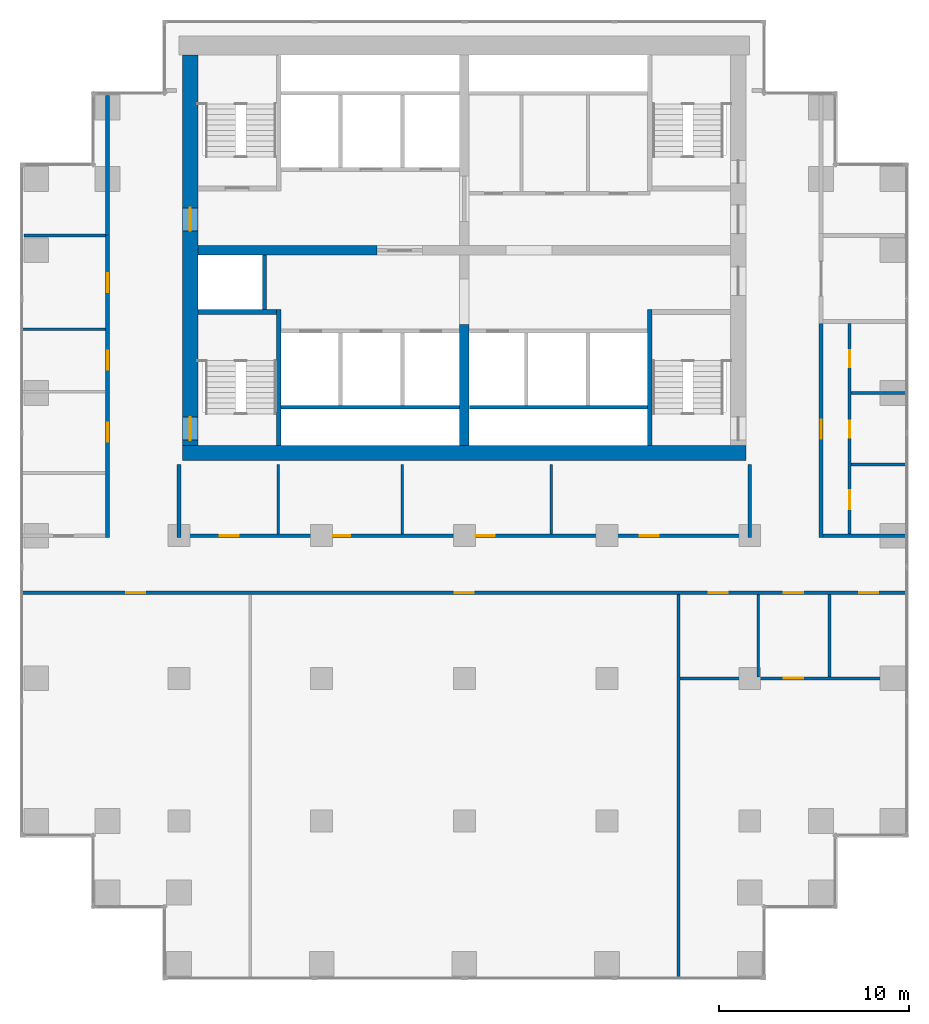
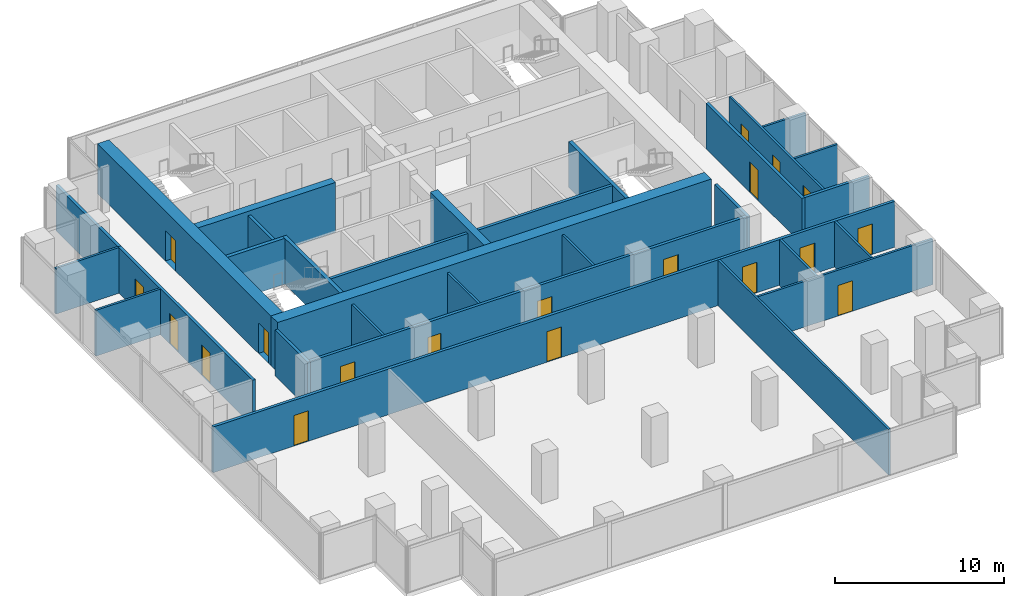
# One storey, part 7 of 10: 30 walls, 19 doors, 19 openings.
"""IFC4 building model written with IfcOpenShell, lengths in metres."""

import ifcopenshell
import ifcopenshell.guid

model = None  # the IFC model being written
_history = None  # IfcOwnerHistory: only IFC2X3 demands one
_inside = {}  # id of a spatial element -> (the spatial element, [elements in it])
_under = {}  # id of a project, library or spatial element -> (it, [spatial elements below it])
_declared = {}  # id of a project -> (the project, [libraries it declares])
_typed = {}  # id of a type object -> (the type object, [elements of that type])
_made_of = {}  # id of a material, layer set ... -> (it, [elements and type objects made of it])


def new_model(schema):
    """Start an empty IFC model of exactly this schema.

    Asked for "IFC4X3", IfcOpenShell would pick the latest addendum, in which some entities
    have other attributes; the version numbers below select the first issue.
    IFC2X3 requires an IfcOwnerHistory on every rooted entity: one is made here for all.
    """
    global model, _history
    if schema == "IFC4X3":
        model = ifcopenshell.file(schema_version=(4, 3, 0, 0))
    else:
        model = ifcopenshell.file(schema=schema)
    _inside.clear()
    _under.clear()
    _declared.clear()
    _typed.clear()
    _made_of.clear()
    _history = None
    if model.schema == "IFC2X3":
        org = make("IfcOrganization", Name="unknown")
        user = make(
            "IfcPersonAndOrganization",
            ThePerson=make("IfcPerson", FamilyName="unknown"),
            TheOrganization=org,
        )
        app = make(
            "IfcApplication",
            ApplicationDeveloper=org,
            Version="unknown",
            ApplicationFullName="unknown",
            ApplicationIdentifier="unknown",
        )
        _history = make(
            "IfcOwnerHistory",
            OwningUser=user,
            OwningApplication=app,
            ChangeAction="ADDED",
            CreationDate=0,
        )
    return model


def make(cls, **values):
    """One entity of the class cls with the attributes given. An attribute that is None is left unset."""
    return model.create_entity(
        cls, **{name: value for name, value in values.items() if value is not None}
    )


def rooted(cls, **values):
    """An entity with a GlobalId (a new one), such as an element, a storey or a relation."""
    return make(cls, GlobalId=ifcopenshell.guid.new(), OwnerHistory=_history, **values)


def si_unit(unit_type, name, prefix=None):
    """IfcSIUnit, for example si_unit("LENGTHUNIT", "METRE", prefix="MILLI")."""
    return make("IfcSIUnit", UnitType=unit_type, Prefix=prefix, Name=name)


def assignment(units):
    """IfcUnitAssignment: the units of a project."""
    return None if units is None else make("IfcUnitAssignment", Units=units)


def point(xyz):
    """IfcCartesianPoint."""
    return None if xyz is None else make("IfcCartesianPoint", Coordinates=xyz)


def direction(xyz):
    """IfcDirection."""
    return None if xyz is None else make("IfcDirection", DirectionRatios=xyz)


def frame(location, z_axis=None, x_axis=None):
    """IfcAxis2Placement3D, a coordinate frame: its origin and axes. An axis left out is left unset."""
    return make(
        "IfcAxis2Placement3D",
        Location=point(location),
        Axis=direction(z_axis),
        RefDirection=direction(x_axis),
    )


def frame_2d(location, x_axis=None):
    """IfcAxis2Placement2D, a coordinate frame in the plane: its origin and x axis."""
    return make(
        "IfcAxis2Placement2D", Location=point(location), RefDirection=direction(x_axis)
    )


def origin():
    """The frame at (0, 0, 0) with its axes left unset."""
    return frame((0.0, 0.0, 0.0))


def place(relative_to, where):
    """IfcLocalPlacement: puts the frame where relative to a parent placement (None: the world)."""
    return make(
        "IfcLocalPlacement", PlacementRelTo=relative_to, RelativePlacement=where
    )


def context(
    kind, dimensions, precision=None, world=None, true_north=None, identifier=None
):
    """IfcGeometricRepresentationContext, for example the 3D "Model" context."""
    return make(
        "IfcGeometricRepresentationContext",
        ContextIdentifier=identifier,
        ContextType=kind,
        CoordinateSpaceDimension=dimensions,
        Precision=precision,
        WorldCoordinateSystem=world,
        TrueNorth=true_north,
    )


def subcontext(parent, identifier, kind, view, scale=None):
    """IfcGeometricRepresentationSubContext, for example "Body" below "Model"."""
    return make(
        "IfcGeometricRepresentationSubContext",
        ContextIdentifier=identifier,
        ContextType=kind,
        ParentContext=parent,
        TargetScale=scale,
        TargetView=view,
    )


def project(units=None, contexts=None):
    """IfcProject with its units and contexts."""
    return rooted(
        "IfcProject",
        Name="project",
        RepresentationContexts=contexts,
        UnitsInContext=assignment(units),
    )


def spatial(cls, under=None, at=None, **own):
    """A site, building, storey or space (cls), placed at a placement, below another one or the project."""
    s = rooted(cls, ObjectPlacement=at, **own)
    if under is not None:
        _under.setdefault(under.id(), (under, []))[1].append(s)
    return s


def profile(cls, at=None, kind="AREA", **sizes):
    """A parametric profile (cls). Its sizes go by their IFC names, for example OverallWidth=200.0."""
    return make(cls, ProfileType=kind, Position=at, **sizes)


def rectangle(**sizes):
    """IfcRectangleProfileDef."""
    return profile("IfcRectangleProfileDef", **sizes)


def extrude(swept, where, along, depth):
    """IfcExtrudedAreaSolid: the profile swept, set in the frame where, extruded along a direction by depth."""
    return make(
        "IfcExtrudedAreaSolid",
        SweptArea=swept,
        Position=where,
        ExtrudedDirection=direction(along),
        Depth=depth,
    )


def shape(context_of_items, identifier, shape_type, items):
    """IfcShapeRepresentation: the items that make up one representation, for example the "Body"."""
    return make(
        "IfcShapeRepresentation",
        ContextOfItems=context_of_items,
        RepresentationIdentifier=identifier,
        RepresentationType=shape_type,
        Items=items,
    )


def material(Name=None, Category=None):
    """IfcMaterial."""
    return make("IfcMaterial", Name=Name, Category=Category)


def layer(
    of_material, thickness, ventilated=None, Name=None, Category=None, Priority=None
):
    """IfcMaterialLayer: one layer of a wall or slab, of a material (None: an air gap)."""
    return make(
        "IfcMaterialLayer",
        Material=of_material,
        LayerThickness=thickness,
        IsVentilated=ventilated,
        Name=Name,
        Category=Category,
        Priority=Priority,
    )


def layer_set(layers, Name=None):
    """IfcMaterialLayerSet."""
    return make("IfcMaterialLayerSet", MaterialLayers=layers, LayerSetName=Name)


def made_of(thing, what):
    """Note that an element or type object is made of a material, layer set ...; save() writes the relation."""
    if what is not None:
        _made_of.setdefault(what.id(), (what, []))[1].append(thing)
    return thing


def type_object(cls, material=None, **own):
    """A type object (cls), such as IfcWallType, which elements share."""
    return made_of(rooted(cls, **own), material)


def element(
    cls,
    number,
    at=None,
    inside=None,
    cuts=None,
    type_object=None,
    material=None,
    context=None,
    identifier="Body",
    shape_type=None,
    held_by="IfcProductDefinitionShape",
    body=None,
    shapes=None,
    **own,
):
    """One element of the class cls, such as IfcWall. Its Tag is "e" and its number.

    at: its placement. inside: the storey or other place that contains it. cuts: it is an
    opening in that element (IfcRelVoidsElement). A single representation is given by context,
    identifier, shape_type and body (its items); several are given by shapes. held_by: the class
    of the entity that holds the representations. save() writes the other relations.
    """
    e = rooted(cls, Tag="e%d" % number, ObjectPlacement=at, **own)
    if body is not None:
        shapes = [shape(context, identifier, shape_type, body)]
    if shapes is not None:
        e.Representation = make(held_by, Representations=shapes)
    if inside is not None:
        _inside.setdefault(inside.id(), (inside, []))[1].append(e)
    if cuts is not None:
        rooted(
            "IfcRelVoidsElement", RelatingBuildingElement=cuts, RelatedOpeningElement=e
        )
    if type_object is not None:
        _typed.setdefault(type_object.id(), (type_object, []))[1].append(e)
    return made_of(e, material)


def fill(opening, filler):
    """IfcRelFillsElement: the door or window that sits in an opening."""
    return rooted(
        "IfcRelFillsElement",
        RelatingOpeningElement=opening,
        RelatedBuildingElement=filler,
    )


def aggregate(whole, parts):
    """IfcRelAggregates: a whole, such as a stair, and the parts it consists of."""
    return rooted("IfcRelAggregates", RelatingObject=whole, RelatedObjects=parts)


def save(model, path):
    """Write the relations noted so far, then the file.

    IfcRelAggregates (storeys below a building ...), IfcRelContainedInSpatialStructure (elements
    in a storey), IfcRelDefinesByType, IfcRelAssociatesMaterial and IfcRelDeclares: one each for
    every whole, place, type object, material and project.
    """
    for whole, parts in _under.values():
        aggregate(whole, parts)
    for where, things in _inside.values():
        rooted(
            "IfcRelContainedInSpatialStructure",
            RelatedElements=things,
            RelatingStructure=where,
        )
    for kind, things in _typed.values():
        rooted("IfcRelDefinesByType", RelatedObjects=things, RelatingType=kind)
    for what, things in _made_of.values():
        rooted("IfcRelAssociatesMaterial", RelatedObjects=things, RelatingMaterial=what)
    for by, libraries in _declared.values():
        rooted("IfcRelDeclares", RelatingContext=by, RelatedDefinitions=libraries)
    model.write(path)


model = new_model("IFC4")

# Units and contexts
model_context = context("Model", 3, precision=1e-05, world=origin(), true_north=direction((0.0, 1.0)))
body_context = subcontext(model_context, "Body", "Model", "MODEL_VIEW")
ifc_project = project(units=[si_unit("LENGTHUNIT", "METRE"), si_unit("AREAUNIT", "SQUARE_METRE"), si_unit("VOLUMEUNIT", "CUBIC_METRE"), si_unit("PLANEANGLEUNIT", "RADIAN"), si_unit("MASSUNIT", "GRAM", prefix="KILO")], contexts=[model_context])

# Site, building, storey
site_placement = place(None, origin())
site = spatial("IfcSite", under=ifc_project, at=site_placement, CompositionType="ELEMENT")
building_placement = place(site_placement, origin())
building = spatial("IfcBuilding", under=site, at=building_placement, Name="Pilkhan Gate Tower", CompositionType="ELEMENT")
storey_placement = place(building_placement, frame((0.0, 0.0, 118.0)))
storey = spatial("IfcBuildingStorey", under=building, at=storey_placement, Name="L29", CompositionType="ELEMENT", Elevation=118.0)

# Wall
ifc_material_1 = material(Name="Concrete C60/75", Category="concrete")
ifc_layer_1 = layer(ifc_material_1, 0.800048828125)
ifc_layer_set_1 = layer_set([ifc_layer_1], Name="Core wall CW800 C60/75")
wall_type_1 = type_object("IfcWallType", Name="Core wall CW800 C60/75", PredefinedType="SHEAR", material=ifc_layer_set_1)
wall_1_placement = place(storey_placement, frame((60.199951171875, 71.85009765625, 0.0), z_axis=(0.0, 0.0, 1.0), x_axis=(1.0, 0.0, 0.0)))
element("IfcWall", 1, at=wall_1_placement, inside=storey, type_object=wall_type_1, Name="Core wall S L29", PredefinedType="SHEAR", context=body_context, shape_type="SweptSolid", body=[
    extrude(rectangle(XDim=29.60009765625, YDim=0.800048828125, at=frame_2d((14.800048828125, 0.0))), origin(), (0.0, 0.0, 1.0), 3.60009765625),
])

# Wall, openings, doors
wall_2_placement = place(storey_placement, frame((60.60009765625, 92.75, 0.0), z_axis=(0.0, 0.0, 1.0), x_axis=(0.0, -1.0, 0.0)))
wall_2 = element("IfcWall", 2, at=wall_2_placement, inside=storey, type_object=wall_type_1, Name="Core wall W L29", PredefinedType="SHEAR", context=body_context, shape_type="SweptSolid", body=[
    extrude(rectangle(XDim=20.5, YDim=0.800048828125, at=frame_2d((10.25, 0.0))), origin(), (0.0, 0.0, 1.0), 3.60009765625),
])
opening_1_placement = place(wall_2_placement, frame((19.02490234375, 0.0, 0.0)))
opening_1 = element("IfcOpeningElement", 3, at=opening_1_placement, cuts=wall_2, Name="Opening L29-04", PredefinedType="OPENING", context=body_context, shape_type="SweptSolid", body=[
    extrude(rectangle(XDim=1.199951171875, YDim=2.199951171875, at=frame_2d((0.60009765625, 1.10009765625))), frame((0.0, 0.409912109375, 0.0), z_axis=(0.0, -1.0, 0.0), x_axis=(1.0, 0.0, 0.0)), (0.0, 0.0, 1.0), 0.820068359375),
])
opening_2_placement = place(wall_2_placement, frame((8.02490234375, 0.0, 0.0)))
opening_2 = element("IfcOpeningElement", 4, at=opening_2_placement, cuts=wall_2, Name="Opening L29-09", PredefinedType="OPENING", context=body_context, shape_type="SweptSolid", body=[
    extrude(rectangle(XDim=1.199951171875, YDim=2.199951171875, at=frame_2d((0.60009765625, 1.10009765625))), frame((0.0, 0.409912109375, 0.0), z_axis=(0.0, -1.0, 0.0), x_axis=(1.0, 0.0, 0.0)), (0.0, 0.0, 1.0), 0.820068359375),
])
ifc_material_2 = material(Name="Steel door, 120 minute fire resisting, self-closing", Category="steel")
door_type_1 = type_object("IfcDoorType", Name="Firefighting lobby door D10 1200x2200", OperationType="SINGLE_SWING_LEFT", PredefinedType="DOOR", material=ifc_material_2)
door_1_placement = place(opening_2_placement, origin())
door_1 = element("IfcDoor", 5, at=door_1_placement, inside=storey, type_object=door_type_1, Name="Core door", OperationType="SINGLE_SWING_LEFT", OverallHeight=2.199951171875, OverallWidth=1.199951171875, PredefinedType="DOOR", context=body_context, shape_type="SweptSolid", body=[
    extrude(rectangle(XDim=1.199951171875, YDim=2.199951171875, at=frame_2d((0.60009765625, 1.10009765625))), frame((0.0, 0.02490234375, 0.0), z_axis=(0.0, -1.0, 0.0), x_axis=(1.0, 0.0, 0.0)), (0.0, 0.0, 1.0), 0.050048828125),
])
fill(opening_2, door_1)
ifc_material_3 = material(Name="Steel door, 120 minute fire resisting, panic bar", Category="steel")
door_type_2 = type_object("IfcDoorType", Name="Stair door D11 1200x2200", OperationType="SINGLE_SWING_LEFT", PredefinedType="DOOR", material=ifc_material_3)
door_2_placement = place(opening_1_placement, origin())
door_2 = element("IfcDoor", 6, at=door_2_placement, inside=storey, type_object=door_type_2, Name="Stair ST2 door", OperationType="SINGLE_SWING_LEFT", OverallHeight=2.199951171875, OverallWidth=1.199951171875, PredefinedType="DOOR", context=body_context, shape_type="SweptSolid", body=[
    extrude(rectangle(XDim=1.199951171875, YDim=2.199951171875, at=frame_2d((0.60009765625, 1.10009765625))), frame((0.0, 0.02490234375, 0.0), z_axis=(0.0, -1.0, 0.0), x_axis=(1.0, 0.0, 0.0)), (0.0, 0.0, 1.0), 0.050048828125),
])
fill(opening_1, door_2)

ifc_material_4 = material(Name="Dense blockwork", Category="masonry")
ifc_layer_2 = layer(ifc_material_4, 0.199951171875)
ifc_layer_set_2 = layer_set([ifc_layer_2], Name="Corridor wall FW200")
wall_type_2 = type_object("IfcWallType", Name="Corridor wall FW200", PredefinedType="PARTITIONING", material=ifc_layer_set_2)
wall_3_placement = place(storey_placement, frame((51.735107421875, 64.5, 0.0), z_axis=(0.0, 0.0, 1.0), x_axis=(1.0, 0.0, 0.0)))
wall_3 = element("IfcWall", 7, at=wall_3_placement, inside=storey, type_object=wall_type_2, Name="Partition L29", PredefinedType="PARTITIONING", context=body_context, shape_type="SweptSolid", body=[
    extrude(rectangle(XDim=46.52978515625, YDim=0.199951171875, at=frame_2d((23.264892578125, 0.0))), origin(), (0.0, 0.0, 1.0), 3.300048828125),
])
opening_3_placement = place(wall_3_placement, frame((40.06494140625, 0.0, 0.0)))
opening_3 = element("IfcOpeningElement", 8, at=opening_3_placement, cuts=wall_3, Name="Opening L29-06", PredefinedType="OPENING", context=body_context, shape_type="SweptSolid", body=[
    extrude(rectangle(XDim=1.0, YDim=2.199951171875, at=frame_2d((0.5, 1.10009765625))), frame((0.0, 0.10986328125, 0.0), z_axis=(0.0, -1.0, 0.0), x_axis=(1.0, 0.0, 0.0)), (0.0, 0.0, 1.0), 0.219970703125),
])
opening_4_placement = place(wall_3_placement, frame((5.5, 0.0, 0.0)))
opening_4 = element("IfcOpeningElement", 9, at=opening_4_placement, cuts=wall_3, Name="Opening L29-14", PredefinedType="OPENING", context=body_context, shape_type="SweptSolid", body=[
    extrude(rectangle(XDim=1.0, YDim=2.199951171875, at=frame_2d((0.5, 1.10009765625))), frame((0.0, 0.10986328125, 0.0), z_axis=(0.0, -1.0, 0.0), x_axis=(1.0, 0.0, 0.0)), (0.0, 0.0, 1.0), 0.219970703125),
])
opening_5_placement = place(wall_3_placement, frame((22.764892578125, 0.0, 0.0)))
opening_5 = element("IfcOpeningElement", 10, at=opening_5_placement, cuts=wall_3, Name="Opening L29-15", PredefinedType="OPENING", context=body_context, shape_type="SweptSolid", body=[
    extrude(rectangle(XDim=1.0, YDim=2.199951171875, at=frame_2d((0.5, 1.10009765625))), frame((0.0, 0.10986328125, 0.0), z_axis=(0.0, -1.0, 0.0), x_axis=(1.0, 0.0, 0.0)), (0.0, 0.0, 1.0), 0.219970703125),
])
opening_6_placement = place(wall_3_placement, frame((36.114990234375, 0.0, 0.0)))
opening_6 = element("IfcOpeningElement", 11, at=opening_6_placement, cuts=wall_3, Name="Opening L29-16", PredefinedType="OPENING", context=body_context, shape_type="SweptSolid", body=[
    extrude(rectangle(XDim=1.0, YDim=2.199951171875, at=frame_2d((0.5, 1.10009765625))), frame((0.0, 0.10986328125, 0.0), z_axis=(0.0, -1.0, 0.0), x_axis=(1.0, 0.0, 0.0)), (0.0, 0.0, 1.0), 0.219970703125),
])
opening_7_placement = place(wall_3_placement, frame((44.014892578125, 0.0, 0.0)))
opening_7 = element("IfcOpeningElement", 12, at=opening_7_placement, cuts=wall_3, Name="Opening L29-17", PredefinedType="OPENING", context=body_context, shape_type="SweptSolid", body=[
    extrude(rectangle(XDim=1.0, YDim=2.199951171875, at=frame_2d((0.5, 1.10009765625))), frame((0.0, 0.10986328125, 0.0), z_axis=(0.0, -1.0, 0.0), x_axis=(1.0, 0.0, 0.0)), (0.0, 0.0, 1.0), 0.219970703125),
])
ifc_material_5 = material(Name="Timber flush door, 30 minute fire resisting", Category="wood")
door_type_3 = type_object("IfcDoorType", Name="Room door D03 1000x2200", OperationType="SINGLE_SWING_LEFT", PredefinedType="DOOR", material=ifc_material_5)
door_3_placement = place(opening_3_placement, origin())
door_3 = element("IfcDoor", 13, at=door_3_placement, inside=storey, type_object=door_type_3, Name="Room door", OperationType="SINGLE_SWING_RIGHT", OverallHeight=2.199951171875, OverallWidth=1.0, PredefinedType="DOOR", context=body_context, shape_type="SweptSolid", body=[
    extrude(rectangle(XDim=1.0, YDim=2.199951171875, at=frame_2d((0.5, 1.10009765625))), frame((0.0, 0.02490234375, 0.0), z_axis=(0.0, -1.0, 0.0), x_axis=(1.0, 0.0, 0.0)), (0.0, 0.0, 1.0), 0.050048828125),
])
fill(opening_3, door_3)
door_4_placement = place(opening_4_placement, origin())
door_4 = element("IfcDoor", 14, at=door_4_placement, inside=storey, type_object=door_type_3, Name="Room door", OperationType="SINGLE_SWING_LEFT", OverallHeight=2.199951171875, OverallWidth=1.0, PredefinedType="DOOR", context=body_context, shape_type="SweptSolid", body=[
    extrude(rectangle(XDim=1.0, YDim=2.199951171875, at=frame_2d((0.5, 1.10009765625))), frame((0.0, 0.02490234375, 0.0), z_axis=(0.0, -1.0, 0.0), x_axis=(1.0, 0.0, 0.0)), (0.0, 0.0, 1.0), 0.050048828125),
])
fill(opening_4, door_4)
door_5_placement = place(opening_5_placement, origin())
door_5 = element("IfcDoor", 15, at=door_5_placement, inside=storey, type_object=door_type_3, Name="Room door", OperationType="SINGLE_SWING_RIGHT", OverallHeight=2.199951171875, OverallWidth=1.0, PredefinedType="DOOR", context=body_context, shape_type="SweptSolid", body=[
    extrude(rectangle(XDim=1.0, YDim=2.199951171875, at=frame_2d((0.5, 1.10009765625))), frame((0.0, 0.02490234375, 0.0), z_axis=(0.0, -1.0, 0.0), x_axis=(1.0, 0.0, 0.0)), (0.0, 0.0, 1.0), 0.050048828125),
])
fill(opening_5, door_5)
door_6_placement = place(opening_6_placement, origin())
door_6 = element("IfcDoor", 16, at=door_6_placement, inside=storey, type_object=door_type_3, Name="Room door", OperationType="SINGLE_SWING_LEFT", OverallHeight=2.199951171875, OverallWidth=1.0, PredefinedType="DOOR", context=body_context, shape_type="SweptSolid", body=[
    extrude(rectangle(XDim=1.0, YDim=2.199951171875, at=frame_2d((0.5, 1.10009765625))), frame((0.0, 0.02490234375, 0.0), z_axis=(0.0, -1.0, 0.0), x_axis=(1.0, 0.0, 0.0)), (0.0, 0.0, 1.0), 0.050048828125),
])
fill(opening_6, door_6)
door_7_placement = place(opening_7_placement, origin())
door_7 = element("IfcDoor", 17, at=door_7_placement, inside=storey, type_object=door_type_3, Name="Room door", OperationType="SINGLE_SWING_RIGHT", OverallHeight=2.199951171875, OverallWidth=1.0, PredefinedType="DOOR", context=body_context, shape_type="SweptSolid", body=[
    extrude(rectangle(XDim=1.0, YDim=2.199951171875, at=frame_2d((0.5, 1.10009765625))), frame((0.0, 0.02490234375, 0.0), z_axis=(0.0, -1.0, 0.0), x_axis=(1.0, 0.0, 0.0)), (0.0, 0.0, 1.0), 0.050048828125),
])
fill(opening_7, door_7)

wall_4_placement = place(storey_placement, frame((60.10009765625, 67.5, 0.0), z_axis=(0.0, 0.0, 1.0), x_axis=(1.0, 0.0, 0.0)))
wall_4 = element("IfcWall", 18, at=wall_4_placement, inside=storey, type_object=wall_type_2, Name="Partition L29", PredefinedType="PARTITIONING", context=body_context, shape_type="SweptSolid", body=[
    extrude(rectangle(XDim=29.7998046875, YDim=0.199951171875, at=frame_2d((14.89990234375, 0.0))), origin(), (0.0, 0.0, 1.0), 3.300048828125),
])
opening_8_placement = place(wall_4_placement, frame((2.050048828125, 0.0, 0.0)))
opening_8 = element("IfcOpeningElement", 19, at=opening_8_placement, cuts=wall_4, Name="Opening L29-27", PredefinedType="OPENING", context=body_context, shape_type="SweptSolid", body=[
    extrude(rectangle(XDim=1.0, YDim=2.199951171875, at=frame_2d((0.5, 1.10009765625))), frame((0.0, 0.10986328125, 0.0), z_axis=(0.0, -1.0, 0.0), x_axis=(1.0, 0.0, 0.0)), (0.0, 0.0, 1.0), 0.219970703125),
])
opening_9_placement = place(wall_4_placement, frame((8.01708984375, 0.0, 0.0)))
opening_9 = element("IfcOpeningElement", 20, at=opening_9_placement, cuts=wall_4, Name="Opening L29-28", PredefinedType="OPENING", context=body_context, shape_type="SweptSolid", body=[
    extrude(rectangle(XDim=0.89990234375, YDim=2.199951171875, at=frame_2d((0.449951171875, 1.10009765625))), frame((0.0, 0.10986328125, 0.0), z_axis=(0.0, -1.0, 0.0), x_axis=(1.0, 0.0, 0.0)), (0.0, 0.0, 1.0), 0.219970703125),
])
opening_10_placement = place(wall_4_placement, frame((15.489013671875, 0.0, 0.0)))
opening_10 = element("IfcOpeningElement", 21, at=opening_10_placement, cuts=wall_4, Name="Opening L29-29", PredefinedType="OPENING", context=body_context, shape_type="SweptSolid", body=[
    extrude(rectangle(XDim=1.0, YDim=2.199951171875, at=frame_2d((0.5, 1.10009765625))), frame((0.0, 0.10986328125, 0.0), z_axis=(0.0, -1.0, 0.0), x_axis=(1.0, 0.0, 0.0)), (0.0, 0.0, 1.0), 0.219970703125),
])
opening_11_placement = place(wall_4_placement, frame((24.114990234375, 0.0, 0.0)))
opening_11 = element("IfcOpeningElement", 22, at=opening_11_placement, cuts=wall_4, Name="Opening L29-30", PredefinedType="OPENING", context=body_context, shape_type="SweptSolid", body=[
    extrude(rectangle(XDim=1.0, YDim=2.199951171875, at=frame_2d((0.5, 1.10009765625))), frame((0.0, 0.10986328125, 0.0), z_axis=(0.0, -1.0, 0.0), x_axis=(1.0, 0.0, 0.0)), (0.0, 0.0, 1.0), 0.219970703125),
])
door_8_placement = place(opening_8_placement, origin())
door_8 = element("IfcDoor", 23, at=door_8_placement, inside=storey, type_object=door_type_3, Name="Room door", OperationType="SINGLE_SWING_LEFT", OverallHeight=2.199951171875, OverallWidth=1.0, PredefinedType="DOOR", context=body_context, shape_type="SweptSolid", body=[
    extrude(rectangle(XDim=1.0, YDim=2.199951171875, at=frame_2d((0.5, 1.10009765625))), frame((0.0, 0.02490234375, 0.0), z_axis=(0.0, -1.0, 0.0), x_axis=(1.0, 0.0, 0.0)), (0.0, 0.0, 1.0), 0.050048828125),
])
fill(opening_8, door_8)
door_9_placement = place(opening_10_placement, origin())
door_9 = element("IfcDoor", 24, at=door_9_placement, inside=storey, type_object=door_type_3, Name="Room door", OperationType="SINGLE_SWING_RIGHT", OverallHeight=2.199951171875, OverallWidth=1.0, PredefinedType="DOOR", context=body_context, shape_type="SweptSolid", body=[
    extrude(rectangle(XDim=1.0, YDim=2.199951171875, at=frame_2d((0.5, 1.10009765625))), frame((0.0, 0.02490234375, 0.0), z_axis=(0.0, -1.0, 0.0), x_axis=(1.0, 0.0, 0.0)), (0.0, 0.0, 1.0), 0.050048828125),
])
fill(opening_10, door_9)
door_10_placement = place(opening_11_placement, origin())
door_10 = element("IfcDoor", 25, at=door_10_placement, inside=storey, type_object=door_type_3, Name="Room door", OperationType="SINGLE_SWING_LEFT", OverallHeight=2.199951171875, OverallWidth=1.0, PredefinedType="DOOR", context=body_context, shape_type="SweptSolid", body=[
    extrude(rectangle(XDim=1.0, YDim=2.199951171875, at=frame_2d((0.5, 1.10009765625))), frame((0.0, 0.02490234375, 0.0), z_axis=(0.0, -1.0, 0.0), x_axis=(1.0, 0.0, 0.0)), (0.0, 0.0, 1.0), 0.050048828125),
])
fill(opening_11, door_10)
ifc_material_6 = material(Name="Timber flush door, 60 minute fire resisting, self-closing", Category="wood")
door_type_4 = type_object("IfcDoorType", Name="Store door D05 900x2200", OperationType="SINGLE_SWING_LEFT", PredefinedType="DOOR", material=ifc_material_6)
door_11_placement = place(opening_9_placement, origin())
door_11 = element("IfcDoor", 26, at=door_11_placement, inside=storey, type_object=door_type_4, Name="Store door", OperationType="SINGLE_SWING_LEFT", OverallHeight=2.199951171875, OverallWidth=0.89990234375, PredefinedType="DOOR", context=body_context, shape_type="SweptSolid", body=[
    extrude(rectangle(XDim=0.89990234375, YDim=2.199951171875, at=frame_2d((0.449951171875, 1.10009765625))), frame((0.0, 0.02490234375, 0.0), z_axis=(0.0, -1.0, 0.0), x_axis=(1.0, 0.0, 0.0)), (0.0, 0.0, 1.0), 0.050048828125),
])
fill(opening_9, door_11)

# Wall
wall_5_placement = place(storey_placement, frame((93.85009765625, 67.5, 0.0), z_axis=(0.0, 0.0, 1.0), x_axis=(1.0, 0.0, 0.0)))
element("IfcWall", 27, at=wall_5_placement, inside=storey, type_object=wall_type_2, Name="Partition L29", PredefinedType="PARTITIONING", context=body_context, shape_type="SweptSolid", body=[
    extrude(rectangle(XDim=4.414794921875, YDim=0.199951171875, at=frame_2d((2.20751953125, 0.0))), origin(), (0.0, 0.0, 1.0), 3.300048828125),
])

# Wall, openings, doors
wall_6_placement = place(storey_placement, frame((56.25, 67.39990234375, 0.0), z_axis=(0.0, 0.0, 1.0), x_axis=(0.0, 1.0, 0.0)))
wall_6 = element("IfcWall", 28, at=wall_6_placement, inside=storey, type_object=wall_type_2, Name="Partition L29", PredefinedType="PARTITIONING", context=body_context, shape_type="SweptSolid", body=[
    extrude(rectangle(XDim=15.955078125, YDim=0.199951171875, at=frame_2d((7.9775390625, 0.0))), origin(), (0.0, 0.0, 1.0), 3.300048828125),
])
opening_12_placement = place(wall_6_placement, frame((5.0380859375, 0.0, 0.0)))
opening_12 = element("IfcOpeningElement", 29, at=opening_12_placement, cuts=wall_6, Name="Opening L29-20", PredefinedType="OPENING", context=body_context, shape_type="SweptSolid", body=[
    extrude(rectangle(XDim=1.0, YDim=2.199951171875, at=frame_2d((0.5, 1.10009765625))), frame((0.0, 0.10986328125, 0.0), z_axis=(0.0, -1.0, 0.0), x_axis=(1.0, 0.0, 0.0)), (0.0, 0.0, 1.0), 0.219970703125),
])
opening_13_placement = place(wall_6_placement, frame((8.81103515625, 0.0, 0.0)))
opening_13 = element("IfcOpeningElement", 30, at=opening_13_placement, cuts=wall_6, Name="Opening L29-21", PredefinedType="OPENING", context=body_context, shape_type="SweptSolid", body=[
    extrude(rectangle(XDim=1.0, YDim=2.199951171875, at=frame_2d((0.5, 1.10009765625))), frame((0.0, 0.10986328125, 0.0), z_axis=(0.0, -1.0, 0.0), x_axis=(1.0, 0.0, 0.0)), (0.0, 0.0, 1.0), 0.219970703125),
])
opening_14_placement = place(wall_6_placement, frame((12.89892578125, 0.0, 0.0)))
opening_14 = element("IfcOpeningElement", 31, at=opening_14_placement, cuts=wall_6, Name="Opening L29-22", PredefinedType="OPENING", context=body_context, shape_type="SweptSolid", body=[
    extrude(rectangle(XDim=1.0, YDim=2.199951171875, at=frame_2d((0.5, 1.10009765625))), frame((0.0, 0.10986328125, 0.0), z_axis=(0.0, -1.0, 0.0), x_axis=(1.0, 0.0, 0.0)), (0.0, 0.0, 1.0), 0.219970703125),
])
door_12_placement = place(opening_12_placement, origin())
door_12 = element("IfcDoor", 32, at=door_12_placement, inside=storey, type_object=door_type_3, Name="Room door", OperationType="SINGLE_SWING_LEFT", OverallHeight=2.199951171875, OverallWidth=1.0, PredefinedType="DOOR", context=body_context, shape_type="SweptSolid", body=[
    extrude(rectangle(XDim=1.0, YDim=2.199951171875, at=frame_2d((0.5, 1.10009765625))), frame((0.0, 0.02490234375, 0.0), z_axis=(0.0, -1.0, 0.0), x_axis=(1.0, 0.0, 0.0)), (0.0, 0.0, 1.0), 0.050048828125),
])
fill(opening_12, door_12)
door_13_placement = place(opening_13_placement, origin())
door_13 = element("IfcDoor", 33, at=door_13_placement, inside=storey, type_object=door_type_3, Name="Room door", OperationType="SINGLE_SWING_RIGHT", OverallHeight=2.199951171875, OverallWidth=1.0, PredefinedType="DOOR", context=body_context, shape_type="SweptSolid", body=[
    extrude(rectangle(XDim=1.0, YDim=2.199951171875, at=frame_2d((0.5, 1.10009765625))), frame((0.0, 0.02490234375, 0.0), z_axis=(0.0, -1.0, 0.0), x_axis=(1.0, 0.0, 0.0)), (0.0, 0.0, 1.0), 0.050048828125),
])
fill(opening_13, door_13)
door_14_placement = place(opening_14_placement, origin())
door_14 = element("IfcDoor", 34, at=door_14_placement, inside=storey, type_object=door_type_3, Name="Room door", OperationType="SINGLE_SWING_RIGHT", OverallHeight=2.199951171875, OverallWidth=1.0, PredefinedType="DOOR", context=body_context, shape_type="SweptSolid", body=[
    extrude(rectangle(XDim=1.0, YDim=2.199951171875, at=frame_2d((0.5, 1.10009765625))), frame((0.0, 0.02490234375, 0.0), z_axis=(0.0, -1.0, 0.0), x_axis=(1.0, 0.0, 0.0)), (0.0, 0.0, 1.0), 0.050048828125),
])
fill(opening_14, door_14)

# Walls
wall_7_placement = place(storey_placement, frame((56.25, 83.31005859375, 0.0), z_axis=(0.0, 0.0, 1.0), x_axis=(0.0, 1.0, 0.0)))
element("IfcWall", 35, at=wall_7_placement, inside=storey, type_object=wall_type_2, Name="Partition L29", PredefinedType="PARTITIONING", context=body_context, shape_type="SweptSolid", body=[
    extrude(rectangle(XDim=7.3349609375, YDim=0.199951171875, at=frame_2d((3.66748046875, 0.0))), origin(), (0.0, 0.0, 1.0), 3.300048828125),
])
for number, where, z_axis, x_axis, name in (
    (36, (60.0, 67.39990234375, 0.0), (0.0, 0.0, 1.0), (0.0, 1.0, 0.0), "Partition L29"),
    (37, (90.0, 67.39990234375, 0.0), (0.0, 0.0, 1.0), (0.0, 1.0, 0.0), "Partition L29"),
):
    element("IfcWall", number, at=place(storey_placement, frame(where, z_axis=z_axis, x_axis=x_axis)), inside=storey, type_object=wall_type_2, Name=name, PredefinedType="PARTITIONING", context=body_context, shape_type="SweptSolid", body=[
        extrude(rectangle(XDim=3.85009765625, YDim=0.199951171875, at=frame_2d((1.925048828125, 0.0))), origin(), (0.0, 0.0, 1.0), 3.300048828125),
    ])

# Wall, opening, door
wall_8_placement = place(storey_placement, frame((93.75, 67.39990234375, 0.0), z_axis=(0.0, 0.0, 1.0), x_axis=(0.0, 1.0, 0.0)))
wall_8 = element("IfcWall", 38, at=wall_8_placement, inside=storey, type_object=wall_type_2, Name="Partition L29", PredefinedType="PARTITIONING", context=body_context, shape_type="SweptSolid", body=[
    extrude(rectangle(XDim=11.35009765625, YDim=0.199951171875, at=frame_2d((5.675048828125, 0.0))), origin(), (0.0, 0.0, 1.0), 3.300048828125),
])
opening_15_placement = place(wall_8_placement, frame((5.199951171875, 0.0, 0.0)))
opening_15 = element("IfcOpeningElement", 39, at=opening_15_placement, cuts=wall_8, Name="Opening L29-07", PredefinedType="OPENING", context=body_context, shape_type="SweptSolid", body=[
    extrude(rectangle(XDim=1.0, YDim=2.199951171875, at=frame_2d((0.5, 1.10009765625))), frame((0.0, 0.10986328125, 0.0), z_axis=(0.0, -1.0, 0.0), x_axis=(1.0, 0.0, 0.0)), (0.0, 0.0, 1.0), 0.219970703125),
])
door_15_placement = place(opening_15_placement, origin())
door_15 = element("IfcDoor", 40, at=door_15_placement, inside=storey, type_object=door_type_3, Name="Toilet lobby door", OperationType="SINGLE_SWING_LEFT", OverallHeight=2.199951171875, OverallWidth=1.0, PredefinedType="DOOR", context=body_context, shape_type="SweptSolid", body=[
    extrude(rectangle(XDim=1.0, YDim=2.199951171875, at=frame_2d((0.5, 1.10009765625))), frame((0.0, 0.02490234375, 0.0), z_axis=(0.0, -1.0, 0.0), x_axis=(1.0, 0.0, 0.0)), (0.0, 0.0, 1.0), 0.050048828125),
])
fill(opening_15, door_15)

ifc_material_7 = material(Name="Blockwork partition, plastered both sides", Category="masonry")
ifc_layer_3 = layer(ifc_material_7, 0.14990234375)
ifc_layer_set_3 = layer_set([ifc_layer_3], Name="Partition PW150")
wall_type_3 = type_object("IfcWallType", Name="Partition PW150", PredefinedType="PARTITIONING", material=ifc_layer_set_3)
wall_9_placement = place(storey_placement, frame((86.324951171875, 60.0, 0.0), z_axis=(0.0, 0.0, 1.0), x_axis=(1.0, 0.0, 0.0)))
wall_9 = element("IfcWall", 41, at=wall_9_placement, inside=storey, type_object=wall_type_3, Name="Partition L29", PredefinedType="PARTITIONING", context=body_context, shape_type="SweptSolid", body=[
    extrude(rectangle(XDim=11.93994140625, YDim=0.14990234375, at=frame_2d((5.969970703125, 0.0))), origin(), (0.0, 0.0, 1.0), 3.300048828125),
])
opening_16_placement = place(wall_9_placement, frame((5.47509765625, 0.0, 0.0)))
opening_16 = element("IfcOpeningElement", 42, at=opening_16_placement, cuts=wall_9, Name="Opening L29-18", PredefinedType="OPENING", context=body_context, shape_type="SweptSolid", body=[
    extrude(rectangle(XDim=1.0, YDim=2.199951171875, at=frame_2d((0.5, 1.10009765625))), frame((0.0, 0.0849609375, 0.0), z_axis=(0.0, -1.0, 0.0), x_axis=(1.0, 0.0, 0.0)), (0.0, 0.0, 1.0), 0.169921875),
])
door_16_placement = place(opening_16_placement, origin())
door_16 = element("IfcDoor", 43, at=door_16_placement, inside=storey, type_object=door_type_3, Name="Room door", OperationType="SINGLE_SWING_RIGHT", OverallHeight=2.199951171875, OverallWidth=1.0, PredefinedType="DOOR", context=body_context, shape_type="SweptSolid", body=[
    extrude(rectangle(XDim=1.0, YDim=2.199951171875, at=frame_2d((0.5, 1.10009765625))), frame((0.0, 0.02490234375, 0.0), z_axis=(0.0, -1.0, 0.0), x_axis=(1.0, 0.0, 0.0)), (0.0, 0.0, 1.0), 0.050048828125),
])
fill(opening_16, door_16)

# Walls
for number, where, z_axis, x_axis, name in (
    (44, (95.324951171875, 71.25, 0.0), (0.0, 0.0, 1.0), (1.0, 0.0, 0.0), "Partition L29"),
    (45, (95.324951171875, 75.0, 0.0), (0.0, 0.0, 1.0), (1.0, 0.0, 0.0), "Partition L29"),
):
    element("IfcWall", number, at=place(storey_placement, frame(where, z_axis=z_axis, x_axis=x_axis)), inside=storey, type_object=wall_type_3, Name=name, PredefinedType="PARTITIONING", context=body_context, shape_type="SweptSolid", body=[
        extrude(rectangle(XDim=2.93994140625, YDim=0.14990234375, at=frame_2d((1.469970703125, 0.0))), origin(), (0.0, 0.0, 1.0), 3.300048828125),
    ])
wall_10_placement = place(storey_placement, frame((51.735107421875, 78.34912109375, 0.0), z_axis=(0.0, 0.0, 1.0), x_axis=(1.0, 0.0, 0.0)))
element("IfcWall", 46, at=wall_10_placement, inside=storey, type_object=wall_type_3, Name="Partition L29", PredefinedType="PARTITIONING", context=body_context, shape_type="SweptSolid", body=[
    extrude(rectangle(XDim=4.414794921875, YDim=0.14990234375, at=frame_2d((2.20751953125, 0.0))), origin(), (0.0, 0.0, 1.0), 3.300048828125),
])
wall_11_placement = place(storey_placement, frame((51.85498046875, 83.280029296875, 0.0), z_axis=(0.0, 0.0, 1.0), x_axis=(1.0, 0.0, 0.0)))
element("IfcWall", 47, at=wall_11_placement, inside=storey, type_object=wall_type_3, Name="Partition L29", PredefinedType="PARTITIONING", context=body_context, shape_type="SweptSolid", body=[
    extrude(rectangle(XDim=4.294921875, YDim=0.14990234375, at=frame_2d((2.1474609375, 0.0))), origin(), (0.0, 0.0, 1.0), 3.300048828125),
])
for number, where, z_axis, x_axis, name in (
    (48, (65.217041015625, 67.60009765625, 0.0), (0.0, 0.0, 1.0), (0.0, 1.0, 0.0), "Partition L29"),
    (49, (71.739013671875, 67.60009765625, 0.0), (0.0, 0.0, 1.0), (0.0, 1.0, 0.0), "Partition L29"),
    (50, (79.56494140625, 67.60009765625, 0.0), (0.0, 0.0, 1.0), (0.0, 1.0, 0.0), "Partition L29"),
):
    element("IfcWall", number, at=place(storey_placement, frame(where, z_axis=z_axis, x_axis=x_axis)), inside=storey, type_object=wall_type_3, Name=name, PredefinedType="PARTITIONING", context=body_context, shape_type="SweptSolid", body=[
        extrude(rectangle(XDim=3.64990234375, YDim=0.14990234375, at=frame_2d((1.824951171875, 0.0))), origin(), (0.0, 0.0, 1.0), 3.300048828125),
    ])
wall_12_placement = place(storey_placement, frame((86.25, 44.235107421875, 0.0), z_axis=(0.0, 0.0, 1.0), x_axis=(0.0, 1.0, 0.0)))
element("IfcWall", 51, at=wall_12_placement, inside=storey, type_object=wall_type_3, Name="Partition L29", PredefinedType="PARTITIONING", context=body_context, shape_type="SweptSolid", body=[
    extrude(rectangle(XDim=20.164794921875, YDim=0.14990234375, at=frame_2d((10.08251953125, 0.0))), origin(), (0.0, 0.0, 1.0), 3.300048828125),
])
for number, where, z_axis, x_axis, name in (
    (52, (90.449951171875, 60.074951171875, 0.0), (0.0, 0.0, 1.0), (0.0, 1.0, 0.0), "Partition L29"),
    (53, (94.199951171875, 60.074951171875, 0.0), (0.0, 0.0, 1.0), (0.0, 1.0, 0.0), "Partition L29"),
):
    element("IfcWall", number, at=place(storey_placement, frame(where, z_axis=z_axis, x_axis=x_axis)), inside=storey, type_object=wall_type_3, Name=name, PredefinedType="PARTITIONING", context=body_context, shape_type="SweptSolid", body=[
        extrude(rectangle(XDim=4.324951171875, YDim=0.14990234375, at=frame_2d((2.16259765625, 0.0))), origin(), (0.0, 0.0, 1.0), 3.300048828125),
    ])

# Wall, openings, doors
wall_13_placement = place(storey_placement, frame((95.25, 67.60009765625, 0.0), z_axis=(0.0, 0.0, 1.0), x_axis=(0.0, 1.0, 0.0)))
wall_13 = element("IfcWall", 54, at=wall_13_placement, inside=storey, type_object=wall_type_3, Name="Partition L29", PredefinedType="PARTITIONING", context=body_context, shape_type="SweptSolid", body=[
    extrude(rectangle(XDim=11.0498046875, YDim=0.14990234375, at=frame_2d((5.52490234375, 0.0))), origin(), (0.0, 0.0, 1.0), 3.300048828125),
])
opening_17_placement = place(wall_13_placement, frame((1.300048828125, 0.0, 0.0)))
opening_17 = element("IfcOpeningElement", 55, at=opening_17_placement, cuts=wall_13, Name="Opening L29-23", PredefinedType="OPENING", context=body_context, shape_type="SweptSolid", body=[
    extrude(rectangle(XDim=1.0, YDim=2.199951171875, at=frame_2d((0.5, 1.10009765625))), frame((0.0, 0.0849609375, 0.0), z_axis=(0.0, -1.0, 0.0), x_axis=(1.0, 0.0, 0.0)), (0.0, 0.0, 1.0), 0.169921875),
])
opening_18_placement = place(wall_13_placement, frame((5.050048828125, 0.0, 0.0)))
opening_18 = element("IfcOpeningElement", 56, at=opening_18_placement, cuts=wall_13, Name="Opening L29-24", PredefinedType="OPENING", context=body_context, shape_type="SweptSolid", body=[
    extrude(rectangle(XDim=0.89990234375, YDim=2.199951171875, at=frame_2d((0.449951171875, 1.10009765625))), frame((0.0, 0.0849609375, 0.0), z_axis=(0.0, -1.0, 0.0), x_axis=(1.0, 0.0, 0.0)), (0.0, 0.0, 1.0), 0.169921875),
])
opening_19_placement = place(wall_13_placement, frame((8.75, 0.0, 0.0)))
opening_19 = element("IfcOpeningElement", 57, at=opening_19_placement, cuts=wall_13, Name="Opening L29-25", PredefinedType="OPENING", context=body_context, shape_type="SweptSolid", body=[
    extrude(rectangle(XDim=0.89990234375, YDim=2.199951171875, at=frame_2d((0.449951171875, 1.10009765625))), frame((0.0, 0.0849609375, 0.0), z_axis=(0.0, -1.0, 0.0), x_axis=(1.0, 0.0, 0.0)), (0.0, 0.0, 1.0), 0.169921875),
])
ifc_material_8 = material(Name="Timber flush door, outward opening, 30 minute fire resisting", Category="wood")
door_type_5 = type_object("IfcDoorType", Name="Accessible toilet door D07 1000x2200", OperationType="SINGLE_SWING_LEFT", PredefinedType="DOOR", material=ifc_material_8)
door_17_placement = place(opening_17_placement, origin())
door_17 = element("IfcDoor", 58, at=door_17_placement, inside=storey, type_object=door_type_5, Name="Accessible toilet door", OperationType="SINGLE_SWING_RIGHT", OverallHeight=2.199951171875, OverallWidth=1.0, PredefinedType="DOOR", context=body_context, shape_type="SweptSolid", body=[
    extrude(rectangle(XDim=1.0, YDim=2.199951171875, at=frame_2d((0.5, 1.10009765625))), frame((0.0, 0.02490234375, 0.0), z_axis=(0.0, -1.0, 0.0), x_axis=(1.0, 0.0, 0.0)), (0.0, 0.0, 1.0), 0.050048828125),
])
fill(opening_17, door_17)
door_type_6 = type_object("IfcDoorType", Name="Toilet door D06 900x2200", OperationType="SINGLE_SWING_LEFT", PredefinedType="DOOR", material=ifc_material_5)
door_18_placement = place(opening_18_placement, origin())
door_18 = element("IfcDoor", 59, at=door_18_placement, inside=storey, type_object=door_type_6, Name="Toilet door", OperationType="SINGLE_SWING_LEFT", OverallHeight=2.199951171875, OverallWidth=0.89990234375, PredefinedType="DOOR", context=body_context, shape_type="SweptSolid", body=[
    extrude(rectangle(XDim=0.89990234375, YDim=2.199951171875, at=frame_2d((0.449951171875, 1.10009765625))), frame((0.0, 0.02490234375, 0.0), z_axis=(0.0, -1.0, 0.0), x_axis=(1.0, 0.0, 0.0)), (0.0, 0.0, 1.0), 0.050048828125),
])
fill(opening_18, door_18)
door_19_placement = place(opening_19_placement, origin())
door_19 = element("IfcDoor", 60, at=door_19_placement, inside=storey, type_object=door_type_6, Name="Toilet door", OperationType="SINGLE_SWING_RIGHT", OverallHeight=2.199951171875, OverallWidth=0.89990234375, PredefinedType="DOOR", context=body_context, shape_type="SweptSolid", body=[
    extrude(rectangle(XDim=0.89990234375, YDim=2.199951171875, at=frame_2d((0.449951171875, 1.10009765625))), frame((0.0, 0.02490234375, 0.0), z_axis=(0.0, -1.0, 0.0), x_axis=(1.0, 0.0, 0.0)), (0.0, 0.0, 1.0), 0.050048828125),
])
fill(opening_19, door_19)

# Walls
ifc_material_9 = material(Name="Reinforced blockwork shaft wall, 120 minute fire resisting", Category="masonry")
ifc_layer_4 = layer(ifc_material_9, 0.199951171875)
ifc_layer_set_4 = layer_set([ifc_layer_4], Name="Shaft wall SW200")
wall_type_4 = type_object("IfcWallType", Name="Shaft wall SW200", PredefinedType="PARTITIONING", material=ifc_layer_set_4)
for number, where, z_axis, x_axis, name in (
    (61, (65.375, 74.25, 0.0), (0.0, 0.0, 1.0), (1.0, 0.0, 0.0), "Partition L29"),
    (62, (75.260009765625, 74.25, 0.0), (0.0, 0.0, 1.0), (1.0, 0.0, 0.0), "Partition L29"),
):
    element("IfcWall", number, at=place(storey_placement, frame(where, z_axis=z_axis, x_axis=x_axis)), inside=storey, type_object=wall_type_4, Name=name, PredefinedType="PARTITIONING", context=body_context, shape_type="SweptSolid", body=[
        extrude(rectangle(XDim=9.364990234375, YDim=0.199951171875, at=frame_2d((4.6826171875, 0.0))), origin(), (0.0, 0.0, 1.0), 3.300048828125),
    ])
wall_14_placement = place(storey_placement, frame((64.5, 79.375, 0.0), z_axis=(0.0, 0.0, 1.0), x_axis=(0.0, 1.0, 0.0)))
element("IfcWall", 63, at=wall_14_placement, inside=storey, type_object=wall_type_4, Name="Partition L29", PredefinedType="PARTITIONING", context=body_context, shape_type="SweptSolid", body=[
    extrude(rectangle(XDim=2.864990234375, YDim=0.199951171875, at=frame_2d((1.4326171875, 0.0))), origin(), (0.0, 0.0, 1.0), 3.300048828125),
])
ifc_layer_5 = layer(ifc_material_1, 0.5)
ifc_layer_set_5 = layer_set([ifc_layer_5], Name="Spine wall SW500 C60/75")
wall_type_5 = type_object("IfcWallType", Name="Spine wall SW500 C60/75", PredefinedType="SHEAR", material=ifc_layer_set_5)
wall_15_placement = place(storey_placement, frame((61.0, 82.5, 0.0), z_axis=(0.0, 0.0, 1.0), x_axis=(1.0, 0.0, 0.0)))
element("IfcWall", 64, at=wall_15_placement, inside=storey, type_object=wall_type_5, Name="Spine wall SP-EW1 L29", PredefinedType="SHEAR", context=body_context, shape_type="SweptSolid", body=[
    extrude(rectangle(XDim=9.39990234375, YDim=0.5, at=frame_2d((4.699951171875, 0.0))), origin(), (0.0, 0.0, 1.0), 3.60009765625),
])
wall_16_placement = place(storey_placement, frame((75.0, 72.25, 0.0), z_axis=(0.0, 0.0, 1.0), x_axis=(0.0, 1.0, 0.0)))
element("IfcWall", 65, at=wall_16_placement, inside=storey, type_object=wall_type_5, Name="Spine wall SP-NS-S1 L29", PredefinedType="SHEAR", context=body_context, shape_type="SweptSolid", body=[
    extrude(rectangle(XDim=6.35009765625, YDim=0.5, at=frame_2d((3.175048828125, 0.0))), origin(), (0.0, 0.0, 1.0), 3.60009765625),
])
ifc_material_10 = material(Name="Reinforced blockwork, 120 minute fire resisting", Category="masonry")
ifc_layer_6 = layer(ifc_material_10, 0.25)
ifc_layer_set_6 = layer_set([ifc_layer_6], Name="Stair enclosure wall SE250")
wall_type_6 = type_object("IfcWallType", Name="Stair enclosure wall SE250", PredefinedType="PARTITIONING", material=ifc_layer_set_6)
wall_17_placement = place(storey_placement, frame((61.010009765625, 79.25, 0.0), z_axis=(0.0, 0.0, 1.0), x_axis=(1.0, 0.0, 0.0)))
element("IfcWall", 66, at=wall_17_placement, inside=storey, type_object=wall_type_6, Name="Partition L29", PredefinedType="PARTITIONING", context=body_context, shape_type="SweptSolid", body=[
    extrude(rectangle(XDim=4.114990234375, YDim=0.25, at=frame_2d((2.0576171875, 0.0))), origin(), (0.0, 0.0, 1.0), 3.300048828125),
])
for number, where, z_axis, x_axis, name in (
    (67, (65.25, 72.25, 0.0), (0.0, 0.0, 1.0), (0.0, 1.0, 0.0), "Partition L29"),
    (68, (84.75, 72.25, 0.0), (0.0, 0.0, 1.0), (0.0, 1.0, 0.0), "Partition L29"),
):
    element("IfcWall", number, at=place(storey_placement, frame(where, z_axis=z_axis, x_axis=x_axis)), inside=storey, type_object=wall_type_6, Name=name, PredefinedType="PARTITIONING", context=body_context, shape_type="SweptSolid", body=[
        extrude(rectangle(XDim=7.125, YDim=0.25, at=frame_2d((3.5625, 0.0))), origin(), (0.0, 0.0, 1.0), 3.300048828125),
    ])

save(model, "model.ifc")
